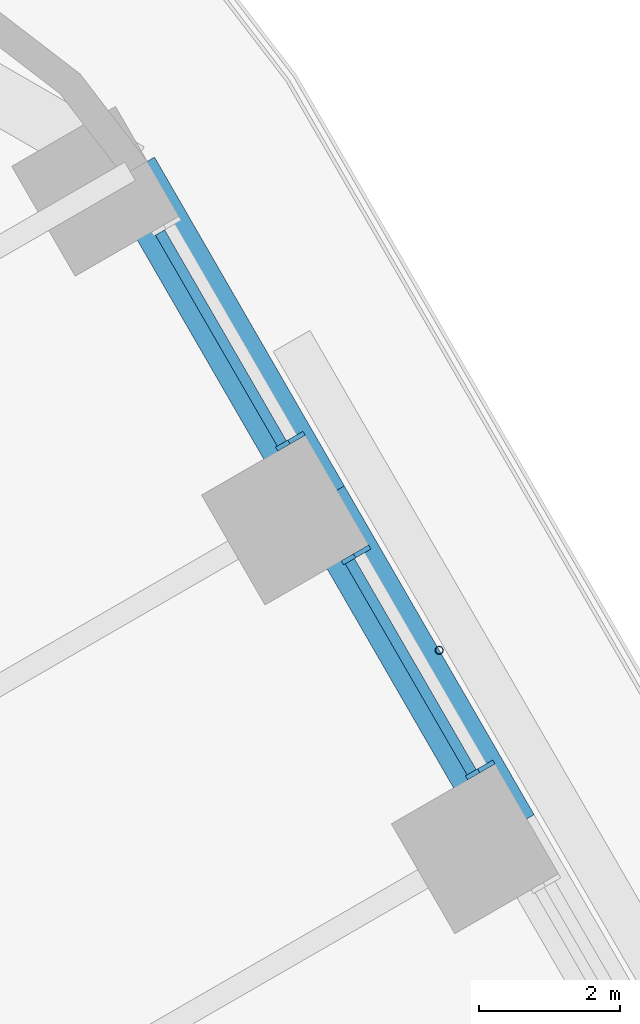
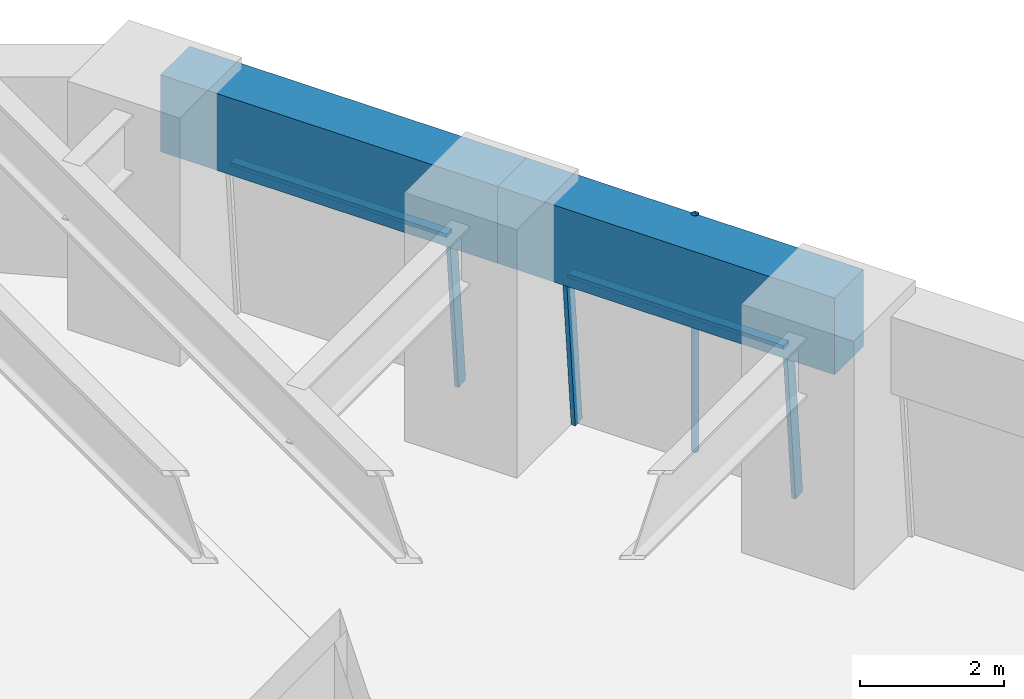
# One storey, part 11 of 23: 6 members, 2 beams, 2 elements without a shape of their own.
"""IFC4 building model written with IfcOpenShell, lengths in metres."""

from ifc_helpers import new_model, si_unit, direction, frame, origin, origin_2d, place, context, subcontext, project, spatial, rectangle, hollow_circle, extrude, material, material_profile, profile_set, type_object, element, aggregate, save


model = new_model("IFC4")

# Units and contexts
model_context = context("Model", 3, precision=1e-05, world=origin(), true_north=direction((0.0, 1.0)))
body_context = subcontext(model_context, "Body", "Model", "MODEL_VIEW")
ifc_project = project(units=[si_unit("LENGTHUNIT", "METRE"), si_unit("AREAUNIT", "SQUARE_METRE"), si_unit("VOLUMEUNIT", "CUBIC_METRE"), si_unit("PLANEANGLEUNIT", "RADIAN"), si_unit("MASSUNIT", "GRAM", prefix="KILO")], contexts=[model_context])

# Site, building, storey
site_placement = place(None, origin())
site = spatial("IfcSite", under=ifc_project, at=site_placement, CompositionType="ELEMENT")
building_placement = place(site_placement, origin())
building = spatial("IfcBuilding", under=site, at=building_placement, Name="Tarfa Lantern Tower", CompositionType="ELEMENT")
storey_placement = place(building_placement, frame((0.0, 0.0, 99.10009765625)))
storey = spatial("IfcBuildingStorey", under=building, at=storey_placement, Name="L22", CompositionType="ELEMENT", Elevation=99.10009765625)

# Curtain wall, members
ifc_material_1 = material(Name="Aluminium framed curtain wall", Category="aluminium")
curtain_wall_type = type_object("IfcCurtainWallType", Name="CW1 CANTED GLAZING LOW ZONE 2700", PredefinedType="USERDEFINED", material=ifc_material_1)
curtain_wall_1_placement = place(storey_placement, origin())
curtain_wall_1 = element("IfcCurtainWall", 1, at=curtain_wall_1_placement, inside=storey, type_object=curtain_wall_type, Name="CW1 NE L22", ObjectType="CURTAIN WALL", PredefinedType="USERDEFINED")
ifc_material_2 = material(Name="Aluminium mullion", Category="aluminium")
ifc_material_profile_1 = material_profile(ifc_material_2, rectangle(XDim=0.06494140625, YDim=0.199951171875, at=origin_2d()), Name="AL MULLION 65x200")
ifc_profile_set_1 = profile_set([ifc_material_profile_1], Name="Aluminium mullion")
member_type_1 = type_object("IfcMemberType", Name="CWM1 MULLION 65x200", PredefinedType="MULLION", material=ifc_profile_set_1)
member_1_placement = place(storey_placement, frame((26.19775390625, 22.42431640625, 0.0), z_axis=(-0.07986442134, -0.046099868913, 0.99573916077), x_axis=(0.499919672301, -0.866071776036, 0.0)))
member_1 = element("IfcMember", 2, at=member_1_placement, type_object=member_type_1, Name="CW1 mullion 1", PredefinedType="MULLION", context=body_context, shape_type="SweptSolid", body=[
    extrude(rectangle(XDim=0.06494140625, YDim=0.199951171875, at=origin_2d()), origin(), (0.0, 0.0, 1.0), 2.71142578125),
])
member_2_placement = place(storey_placement, frame((24.435791015625, 25.475830078125, 0.0), z_axis=(-0.079774955866, -0.04610020023, 0.995746317068), x_axis=(0.500342721131, -0.865827443207, 0.0)))
member_2 = element("IfcMember", 3, at=member_2_placement, type_object=member_type_1, Name="CW1 mullion 2", PredefinedType="MULLION", context=body_context, shape_type="SweptSolid", body=[
    extrude(rectangle(XDim=0.06494140625, YDim=0.199951171875, at=origin_2d()), origin(), (0.0, 0.0, 1.0), 2.71142578125),
])

# Curtain wall, member
curtain_wall_2_placement = place(storey_placement, origin())
curtain_wall_2 = element("IfcCurtainWall", 4, at=curtain_wall_2_placement, inside=storey, type_object=curtain_wall_type, Name="CW1 NE L22", ObjectType="CURTAIN WALL", PredefinedType="USERDEFINED")
member_3_placement = place(storey_placement, frame((23.50341796875, 27.0908203125, 0.0), z_axis=(-0.07986442134, -0.046099868913, 0.99573916077), x_axis=(0.499919672301, -0.866071776036, 0.0)))
member_3 = element("IfcMember", 5, at=member_3_placement, type_object=member_type_1, Name="CW1 mullion 1", PredefinedType="MULLION", context=body_context, shape_type="SweptSolid", body=[
    extrude(rectangle(XDim=0.06494140625, YDim=0.199951171875, at=origin_2d()), origin(), (0.0, 0.0, 1.0), 2.71142578125),
])

# Member
ifc_material_3 = material(Name="Aluminium transom", Category="aluminium")
ifc_material_profile_2 = material_profile(ifc_material_3, rectangle(XDim=0.14990234375, YDim=0.06494140625, at=origin_2d()), Name="AL TRANSOM 150x65")
ifc_profile_set_2 = profile_set([ifc_material_profile_2], Name="Aluminium transom")
member_type_2 = type_object("IfcMemberType", Name="CWT1 TRANSOM 150x65", PredefinedType="USERDEFINED", material=ifc_profile_set_2)
member_4_placement = place(storey_placement, frame((25.967529296875, 22.328857421875, 2.66748046875), z_axis=(-0.49997297598, 0.866041005548, 0.0), x_axis=(-0.866041005548, -0.49997297598, 0.0)))
member_4 = element("IfcMember", 6, at=member_4_placement, type_object=member_type_2, Name="CW1 transom 1.2", ObjectType="TRANSOM", PredefinedType="USERDEFINED", context=body_context, shape_type="SweptSolid", body=[
    extrude(rectangle(XDim=0.14990234375, YDim=0.06494140625, at=origin_2d()), origin(), (0.0, 0.0, 1.0), 3.458740234375),
])

aggregate(curtain_wall_1, [member_1, member_2, member_4])

member_5_placement = place(storey_placement, frame((23.273193359375, 26.99560546875, 2.66748046875), z_axis=(-0.500003541824, 0.866023358902, 0.0), x_axis=(-0.866023358902, -0.500003541824, 0.0)))
member_5 = element("IfcMember", 7, at=member_5_placement, type_object=member_type_2, Name="CW1 transom 1.2", ObjectType="TRANSOM", PredefinedType="USERDEFINED", context=body_context, shape_type="SweptSolid", body=[
    extrude(rectangle(XDim=0.14990234375, YDim=0.06494140625, at=origin_2d()), origin(), (0.0, 0.0, 1.0), 3.45849609375),
])

aggregate(curtain_wall_2, [member_3, member_5])

# Beams
ifc_material_4 = material(Name="Concrete C80/95", Category="concrete")
ifc_material_profile_3 = material_profile(ifc_material_4, rectangle(XDim=0.800048828125, YDim=1.300048828125, at=origin_2d()), Name="RC 800x1300")
ifc_profile_set_3 = profile_set([ifc_material_profile_3], Name="Concrete C80/95")
beam_type = type_object("IfcBeamType", Name="EB1 RC 800x1300", PredefinedType="SPANDREL", material=ifc_profile_set_3)
for number, where, z_axis, x_axis, name in (
    (8, (26.508056640625, 21.526611328125, 3.349853515625), (-0.499998287579, 0.866026392449, 0.0), (-0.866026392449, -0.499998287579, 0.0), "Edge beam NE4"),
    (9, (23.813720703125, 26.193359375, 3.349853515625), (-0.499998287579, 0.866026392449, 0.0), (-0.866026392449, -0.499998287579, 0.0), "Edge beam NE5"),
):
    element("IfcBeam", number, at=place(storey_placement, frame(where, z_axis=z_axis, x_axis=x_axis)), inside=storey, type_object=beam_type, Name=name, PredefinedType="SPANDREL", context=body_context, shape_type="SweptSolid", body=[
        extrude(rectangle(XDim=0.800048828125, YDim=1.300048828125, at=origin_2d()), origin(), (0.0, 0.0, 1.0), 5.388671875),
    ])

# Member
ifc_material_5 = material(Name="Steel S355", Category="steel")
ifc_material_profile_4 = material_profile(ifc_material_5, hollow_circle(Radius=0.05712890625, WallThickness=0.00634765625, at=origin_2d()), Name="CHS114.3x6.3")
ifc_profile_set_4 = profile_set([ifc_material_profile_4], Name="Steel S355")
member_type_3 = type_object("IfcMemberType", Name="TR1 GREEN WALL TRELLIS CHS114.3x6.3", PredefinedType="USERDEFINED", material=ifc_profile_set_4)
member_6_placement = place(storey_placement, frame((25.50732421875, 24.06005859375, 0.0), z_axis=(0.0, 0.0, 1.0), x_axis=(1.0, 0.0, 0.0)))
element("IfcMember", 10, at=member_6_placement, inside=storey, type_object=member_type_3, Name="Trellis post NE 2", ObjectType="TRELLIS", PredefinedType="USERDEFINED", context=body_context, shape_type="SweptSolid", body=[
    extrude(hollow_circle(Radius=0.05712890625, WallThickness=0.00634765625, at=origin_2d()), origin(), (0.0, 0.0, 1.0), 4.0),
])

save(model, "model.ifc")
